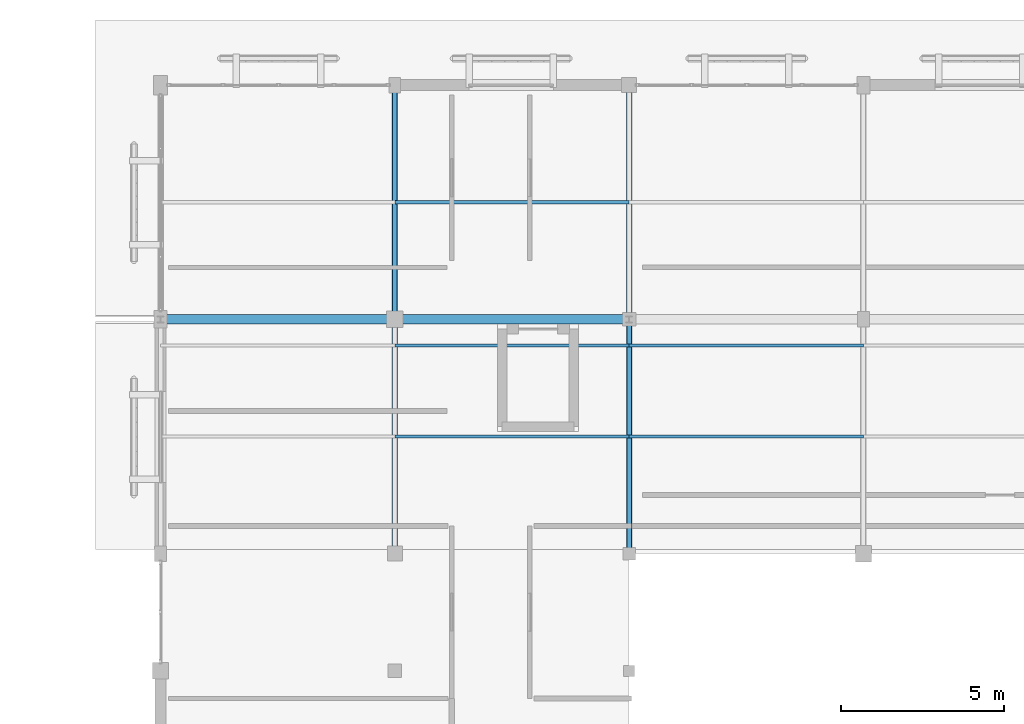
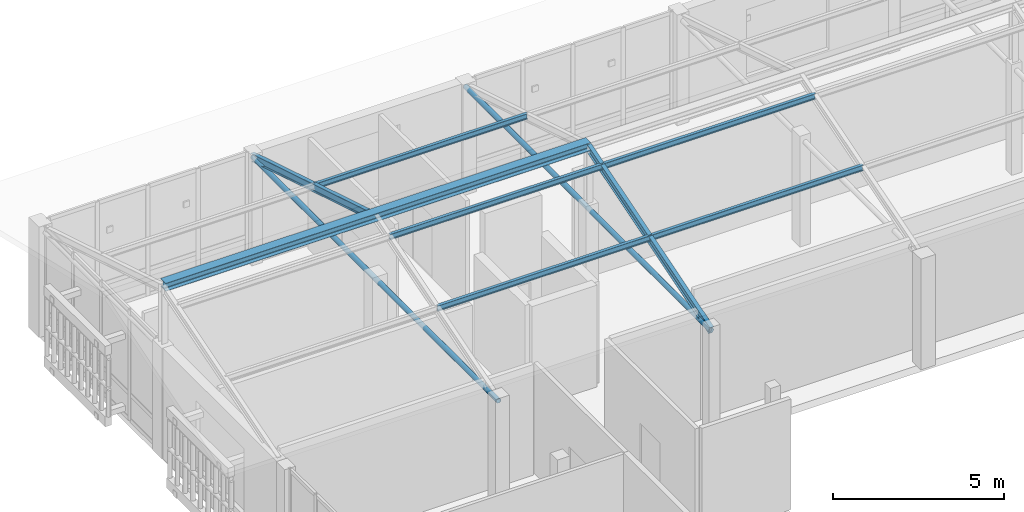
# One storey, part 34 of 61: 9 members, 1 beam.
"""IFC4 building model written with IfcOpenShell, lengths in metres."""

from ifc_helpers import new_model, si_unit, direction, frame, origin, origin_2d, place, context, subcontext, project, spatial, hollow_circle, i_section, extrude, material, material_profile, profile_set, type_object, element, save


model = new_model("IFC4")

# Units and contexts
model_context = context("Model", 3, precision=1e-05, world=origin(), true_north=direction((0.0, 1.0)))
body_context = subcontext(model_context, "Body", "Model", "MODEL_VIEW")
ifc_project = project(units=[si_unit("LENGTHUNIT", "METRE"), si_unit("AREAUNIT", "SQUARE_METRE"), si_unit("VOLUMEUNIT", "CUBIC_METRE"), si_unit("PLANEANGLEUNIT", "RADIAN"), si_unit("MASSUNIT", "GRAM", prefix="KILO")], contexts=[model_context])

# Site, building, storey
site_placement = place(None, origin())
site = spatial("IfcSite", under=ifc_project, at=site_placement, CompositionType="ELEMENT")
building_placement = place(site_placement, origin())
building = spatial("IfcBuilding", under=site, at=building_placement, Name="Mazaris Harbour Polytechnic", CompositionType="ELEMENT")
storey_placement = place(building_placement, frame((0.0, 0.0, 18.0)))
storey = spatial("IfcBuildingStorey", under=building, at=storey_placement, Name="L04", CompositionType="ELEMENT", Elevation=18.0)

# Beam
ifc_material_1 = material(Name="Steel S355", Category="steel")
ifc_material_profile_1 = material_profile(ifc_material_1, i_section(OverallWidth=0.300048828125, OverallDepth=0.2900390625, WebThickness=0.008544921875, FlangeThickness=0.013916015625, FilletRadius=0.027099609375, at=origin_2d()), Name="HEA 300")
ifc_profile_set_1 = profile_set([ifc_material_profile_1], Name="Steel S355")
beam_type = type_object("IfcBeamType", Name="Steel Beam HEA300", PredefinedType="SPANDREL", material=ifc_profile_set_1)
beam_placement = place(storey_placement, frame((122.39990234375, 93.60009765625, 6.0), z_axis=(1.0, 0.0, 0.0), x_axis=(0.0, 1.0, 0.0)))
element("IfcBeam", 1, at=beam_placement, inside=storey, type_object=beam_type, Name="V5 Studio Ridge Girder 122.4", PredefinedType="SPANDREL", context=body_context, shape_type="SweptSolid", body=[
    extrude(i_section(OverallWidth=0.300048828125, OverallDepth=0.2900390625, WebThickness=0.008544921875, FlangeThickness=0.013916015625, FilletRadius=0.027099609375, at=origin_2d()), origin(), (0.0, 0.0, 1.0), 14.400146484375),
])

# Members
ifc_material_2 = material(Name="Steel S355", Category="steel")
ifc_material_profile_2 = material_profile(ifc_material_2, i_section(OverallWidth=0.10009765625, OverallDepth=0.199951171875, WebThickness=0.005615234375, FlangeThickness=0.008544921875, FilletRadius=0.011962890625, at=origin_2d()), Name="IPE 200")
ifc_profile_set_2 = profile_set([ifc_material_profile_2], Name="Steel S355")
member_type_1 = type_object("IfcMemberType", Name="Steel Purlin IPE200", PredefinedType="PURLIN", material=ifc_profile_set_2)
for number, where, z_axis, x_axis, name in (
    (2, (129.60009765625, 90.0, 4.840087890625), (1.0, 0.0, 0.0), (0.0, 1.0, 0.0), "V5 Studio Roof Purlin 190"),
    (3, (129.60009765625, 92.800048828125, 5.699951171875), (1.0, 0.0, 0.0), (0.0, 1.0, 0.0), "V5 Studio Roof Purlin 191"),
    (4, (129.60009765625, 97.199951171875, 4.840087890625), (1.0, 0.0, 0.0), (0.0, 1.0, 0.0), "V5 Studio Roof Purlin 192"),
    (5, (136.800048828125, 90.0, 4.840087890625), (1.0, 0.0, 0.0), (0.0, 1.0, 0.0), "V5 Studio Roof Purlin 193"),
    (6, (136.800048828125, 92.800048828125, 5.699951171875), (1.0, 0.0, 0.0), (0.0, 1.0, 0.0), "V5 Studio Roof Purlin 194"),
):
    element("IfcMember", number, at=place(storey_placement, frame(where, z_axis=z_axis, x_axis=x_axis)), inside=storey, type_object=member_type_1, Name=name, PredefinedType="PURLIN", context=body_context, shape_type="SweptSolid", body=[
        extrude(i_section(OverallWidth=0.10009765625, OverallDepth=0.199951171875, WebThickness=0.005615234375, FlangeThickness=0.008544921875, FilletRadius=0.011962890625, at=origin_2d()), origin(), (0.0, 0.0, 1.0), 7.199951171875),
    ])
ifc_material_3 = material(Name="Steel S355", Category="steel")
ifc_material_profile_3 = material_profile(ifc_material_3, i_section(OverallWidth=0.135009765625, OverallDepth=0.27001953125, WebThickness=0.006591796875, FlangeThickness=0.01025390625, FilletRadius=0.014892578125, at=origin_2d()), Name="IPE 270")
ifc_profile_set_3 = profile_set([ifc_material_profile_3], Name="Steel S355")
member_type_2 = type_object("IfcMemberType", Name="Steel Rafter IPE270", PredefinedType="RAFTER", material=ifc_profile_set_3)
member_1_placement = place(storey_placement, frame((129.60009765625, 93.60009765625, 5.89990234375), z_axis=(0.0, 0.95635282974, -0.292214416222), x_axis=(-1.0, 0.0, 0.0)))
element("IfcMember", 7, at=member_1_placement, inside=storey, type_object=member_type_2, Name="V5 Studio North Rafter 13", PredefinedType="RAFTER", context=body_context, shape_type="SweptSolid", body=[
    extrude(i_section(OverallWidth=0.135009765625, OverallDepth=0.27001953125, WebThickness=0.006591796875, FlangeThickness=0.01025390625, FilletRadius=0.014892578125, at=origin_2d()), origin(), (0.0, 0.0, 1.0), 7.528564453125),
])
member_2_placement = place(storey_placement, frame((136.800048828125, 86.39990234375, 3.699951171875), z_axis=(0.0, 0.956355598669, 0.292205353981), x_axis=(-1.0, 0.0, 0.0)))
element("IfcMember", 8, at=member_2_placement, inside=storey, type_object=member_type_2, Name="V5 Studio South Rafter 14", PredefinedType="RAFTER", context=body_context, shape_type="SweptSolid", body=[
    extrude(i_section(OverallWidth=0.135009765625, OverallDepth=0.27001953125, WebThickness=0.006591796875, FlangeThickness=0.01025390625, FilletRadius=0.014892578125, at=origin_2d()), origin(), (0.0, 0.0, 1.0), 7.52880859375),
])
ifc_material_4 = material(Name="Steel S355", Category="steel")
ifc_material_profile_4 = material_profile(ifc_material_4, hollow_circle(Radius=0.084228515625, WallThickness=0.008056640625, at=origin_2d()), Name="CHS 168.3x8.0")
ifc_profile_set_4 = profile_set([ifc_material_profile_4], Name="Steel S355")
member_type_3 = type_object("IfcMemberType", Name="Steel Truss Strut CHS168", PredefinedType="STRUT", material=ifc_profile_set_4)
for number, where, z_axis, x_axis, name in (
    (9, (129.60009765625, 86.39990234375, 3.699951171875), (0.0, 1.0, 0.0), (-1.0, 0.0, 0.0), "V5 Studio Tie 13"),
    (10, (136.800048828125, 86.39990234375, 3.699951171875), (0.0, 1.0, 0.0), (-1.0, 0.0, 0.0), "V5 Studio Tie 14"),
):
    element("IfcMember", number, at=place(storey_placement, frame(where, z_axis=z_axis, x_axis=x_axis)), inside=storey, type_object=member_type_3, Name=name, PredefinedType="STRUT", context=body_context, shape_type="SweptSolid", body=[
        extrude(hollow_circle(Radius=0.084228515625, WallThickness=0.008056640625, at=origin_2d()), origin(), (0.0, 0.0, 1.0), 14.400146484375),
    ])

save(model, "model.ifc")
